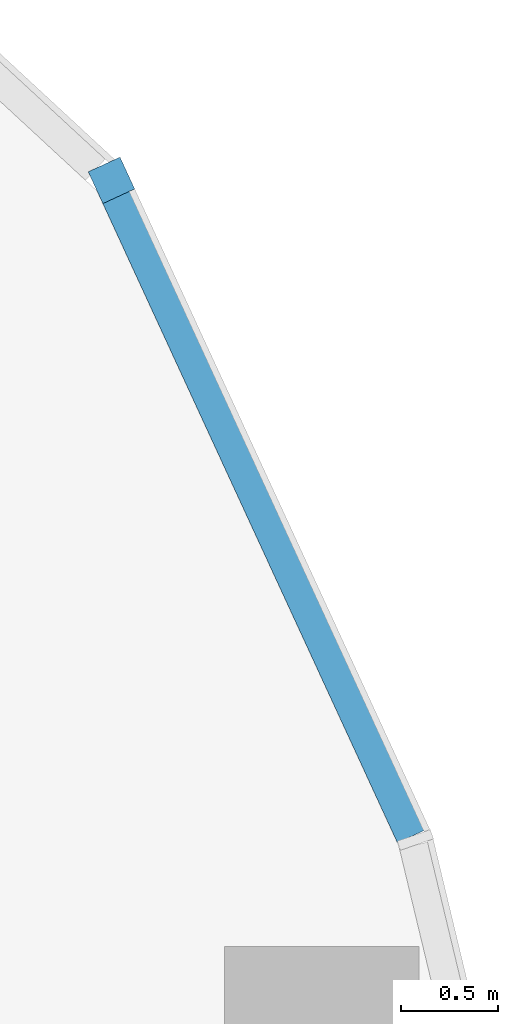
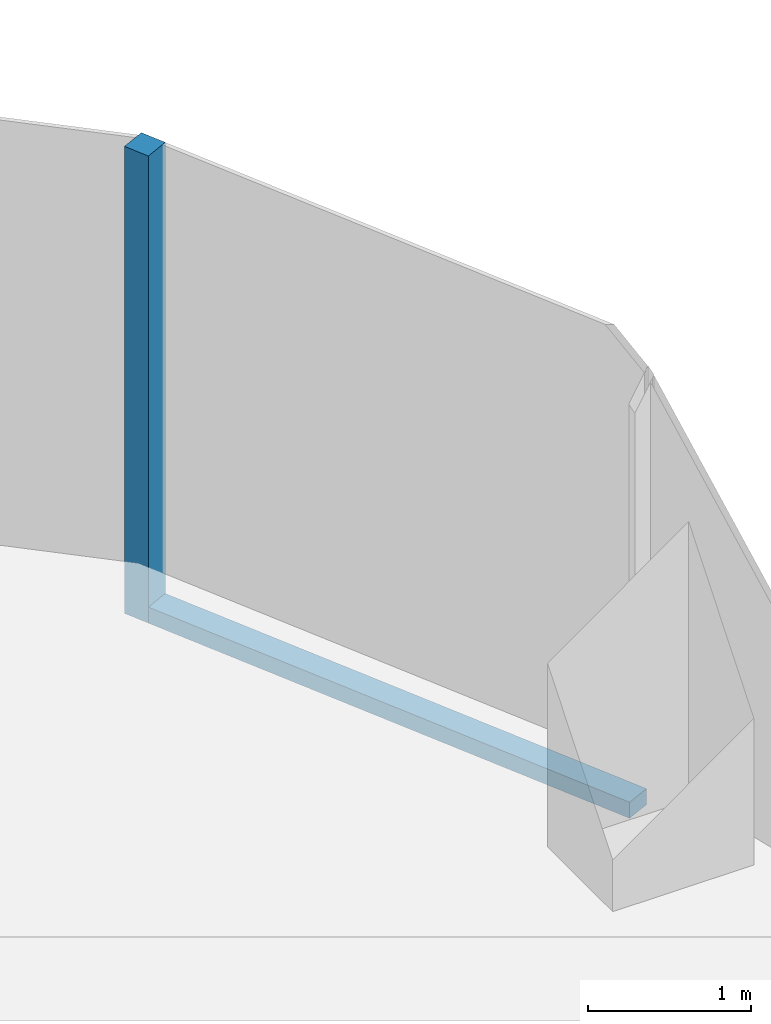
# One storey, part 10 of 23: 2 members, 1 element without a shape of its own.
"""IFC4 building model written with IfcOpenShell, lengths in metres."""

from ifc_helpers import new_model, si_unit, direction, frame, origin, origin_2d, place, context, subcontext, project, spatial, rectangle, extrude, material, material_profile, profile_set, type_object, element, aggregate, save


model = new_model("IFC4")

# Units and contexts
model_context = context("Model", 3, precision=1e-05, world=origin(), true_north=direction((0.0, 1.0)))
body_context = subcontext(model_context, "Body", "Model", "MODEL_VIEW")
ifc_project = project(units=[si_unit("LENGTHUNIT", "METRE"), si_unit("AREAUNIT", "SQUARE_METRE"), si_unit("VOLUMEUNIT", "CUBIC_METRE"), si_unit("PLANEANGLEUNIT", "RADIAN"), si_unit("MASSUNIT", "GRAM", prefix="KILO")], contexts=[model_context])

# Site, building, storey
site_placement = place(None, origin())
site = spatial("IfcSite", under=ifc_project, at=site_placement, CompositionType="ELEMENT")
building_placement = place(site_placement, origin())
building = spatial("IfcBuilding", under=site, at=building_placement, Name="Orlundy Tower", CompositionType="ELEMENT")
storey_placement = place(building_placement, frame((0.0, 0.0, 221.0)))
storey = spatial("IfcBuildingStorey", under=building, at=storey_placement, Name="L58", CompositionType="ELEMENT", Elevation=221.0)

# Curtain wall, members
ifc_material_1 = material(Name="Aluminium bronze anodised", Category="aluminium")
curtain_wall_type = type_object("IfcCurtainWallType", Name="CW1 wall", PredefinedType="NOTDEFINED", material=ifc_material_1)
curtain_wall_placement = place(storey_placement, origin())
curtain_wall = element("IfcCurtainWall", 1, at=curtain_wall_placement, inside=storey, type_object=curtain_wall_type, Name="CW1 run 010", PredefinedType="NOTDEFINED")
ifc_material_2 = material(Name="Aluminium bronze anodised", Category="aluminium")
ifc_material_profile_1 = material_profile(ifc_material_2, rectangle(XDim=0.179931640625, YDim=0.179931640625, at=origin_2d()), Name="CW1 corner post 180x180")
ifc_profile_set_1 = profile_set([ifc_material_profile_1], Name="Aluminium bronze anodised")
member_type_1 = type_object("IfcMemberType", Name="CW1 corner post 180x180", PredefinedType="MULLION", material=ifc_profile_set_1)
member_1_placement = place(storey_placement, frame((34.480224609375, 22.850830078125, -0.419921875), z_axis=(0.0, 0.0, 1.0), x_axis=(0.908219817192, 0.418493445182, 0.0)))
member_1 = element("IfcMember", 2, at=member_1_placement, type_object=member_type_1, Name="CW1 mullion 27", PredefinedType="MULLION", context=body_context, shape_type="SweptSolid", body=[
    extrude(rectangle(XDim=0.179931640625, YDim=0.179931640625, at=origin_2d()), origin(), (0.0, 0.0, 1.0), 3.5),
])
ifc_material_3 = material(Name="Aluminium bronze anodised", Category="aluminium")
ifc_material_profile_2 = material_profile(ifc_material_3, rectangle(XDim=0.179931640625, YDim=0.1201171875, at=origin_2d()), Name="CW1 transom 180x120")
ifc_profile_set_2 = profile_set([ifc_material_profile_2], Name="Aluminium bronze anodised")
member_type_2 = type_object("IfcMemberType", Name="CW1 transom 180x120", PredefinedType="USERDEFINED", material=ifc_profile_set_2)
member_2_placement = place(storey_placement, frame((34.517822265625, 22.769287109375, -0.360107421875), z_axis=(0.418510361894, -0.908212022045, 0.0), x_axis=(0.908212022045, 0.418510361894, 0.0)))
member_2 = element("IfcMember", 3, at=member_2_placement, type_object=member_type_2, Name="CW1 transom", ObjectType="TRANSOM", PredefinedType="USERDEFINED", context=body_context, shape_type="SweptSolid", body=[
    extrude(rectangle(XDim=0.179931640625, YDim=0.1201171875, at=origin_2d()), origin(), (0.0, 0.0, 1.0), 3.617919921875),
])
aggregate(curtain_wall, [member_1, member_2])

save(model, "model.ifc")
